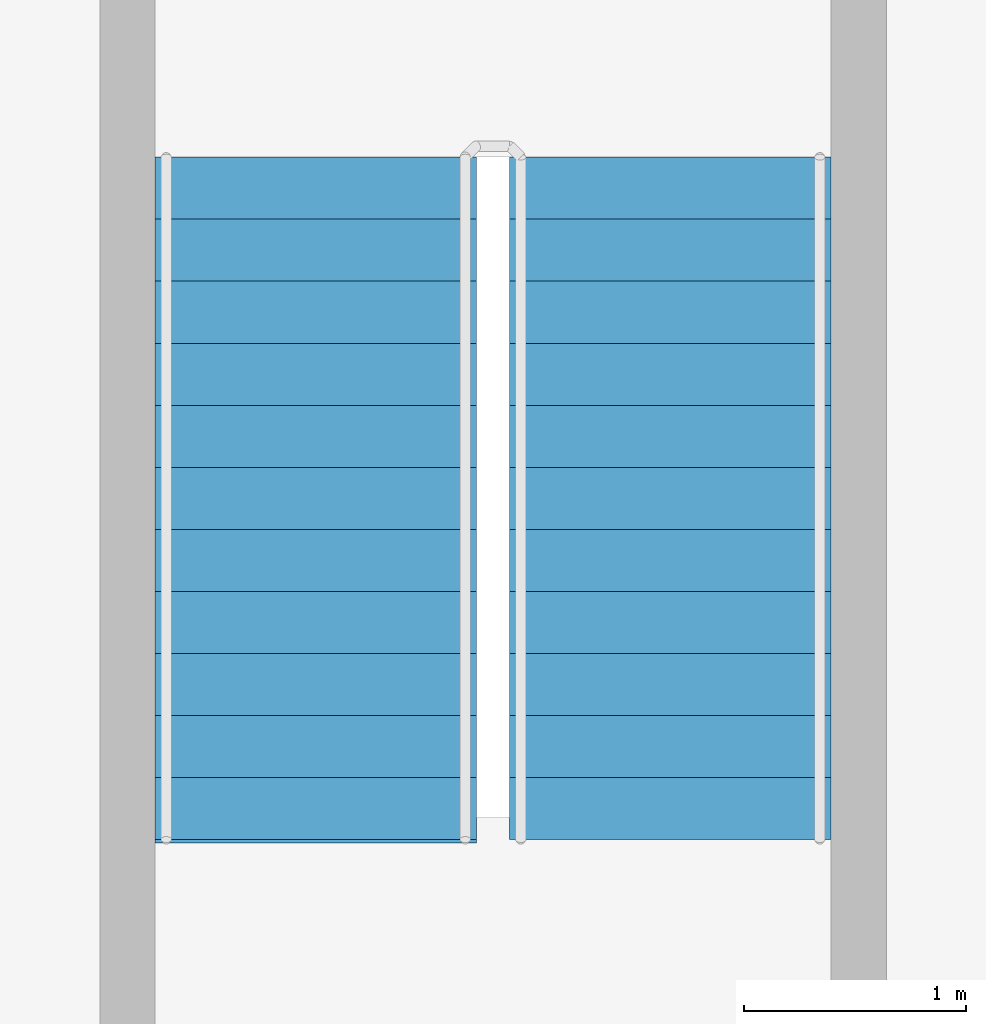
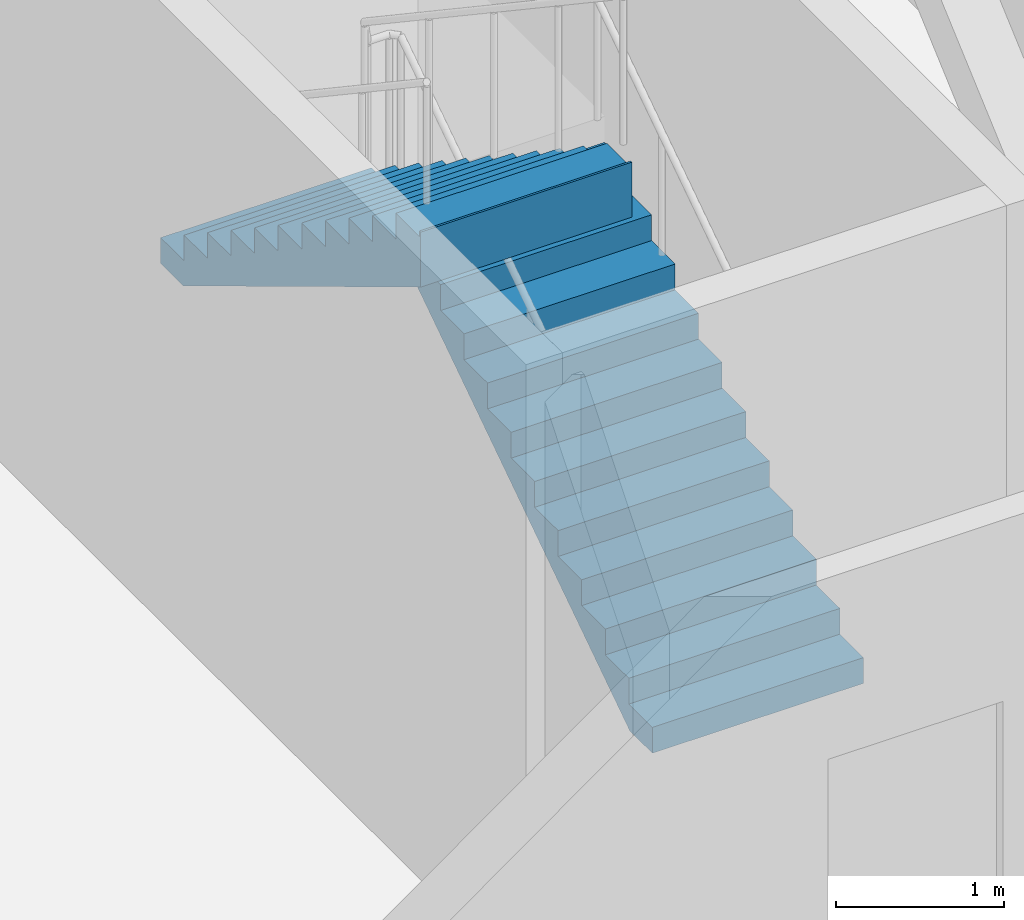
# One storey, part 17 of 20: 2 stair flights, 1 element without a shape of its own.
"""IFC4 building model written with IfcOpenShell, lengths in metres."""

from ifc_helpers import new_model, si_unit, direction, frame, origin, place, context, subcontext, project, spatial, polyline, outline, extrude, material, type_object, element, aggregate, save


model = new_model("IFC4")

# Units and contexts
model_context = context("Model", 3, precision=1e-05, world=origin(), true_north=direction((0.0, 1.0)))
body_context = subcontext(model_context, "Body", "Model", "MODEL_VIEW")
ifc_project = project(units=[si_unit("LENGTHUNIT", "METRE"), si_unit("AREAUNIT", "SQUARE_METRE"), si_unit("VOLUMEUNIT", "CUBIC_METRE"), si_unit("PLANEANGLEUNIT", "RADIAN"), si_unit("MASSUNIT", "GRAM", prefix="KILO")], contexts=[model_context])

# Site, building, storey
site_placement = place(None, origin())
site = spatial("IfcSite", under=ifc_project, at=site_placement, CompositionType="ELEMENT")
building_placement = place(site_placement, origin())
building = spatial("IfcBuilding", under=site, at=building_placement, Name="Bicima Exchange Tower", CompositionType="ELEMENT")
storey_placement = place(building_placement, frame((0.0, 0.0, 306.5)))
storey = spatial("IfcBuildingStorey", under=building, at=storey_placement, Name="L69", CompositionType="ELEMENT", Elevation=306.5)

# Stair, stair flights
ifc_material = material(Name="Concrete C50/60", Category="concrete")
stair_type = type_object("IfcStairType", Name="Exit stair", PredefinedType="HALF_TURN_STAIR", material=ifc_material)
stair_placement = place(storey_placement, origin())
stair = element("IfcStair", 1, at=stair_placement, inside=storey, type_object=stair_type, Name="L69 East end exit stair", PredefinedType="HALF_TURN_STAIR")
stair_flight_type = type_object("IfcStairFlightType", Name="Stair flight RC", PredefinedType="STRAIGHT", material=ifc_material)
stair_flight_1_placement = place(storey_placement, frame((31.25, -9.925048828125, 0.0), z_axis=(0.0, 0.0, 1.0), x_axis=(0.0, 1.0, 0.0)))
stair_flight_1 = element("IfcStairFlight", 2, at=stair_flight_1_placement, type_object=stair_flight_type, Name="ST-EE flight 1", NumberOfRisers=12, NumberOfTreads=11, PredefinedType="STRAIGHT", RiserHeight=0.1875, TreadLength=0.28, context=body_context, shape_type="SweptSolid", body=[
    extrude(outline(polyline([(0.0, 0.0), (0.0, 0.1875), (0.280029296875, 0.1875), (0.280029296875, 0.375), (0.56005859375, 0.375), (0.56005859375, 0.5625), (0.840087890625, 0.5625), (0.840087890625, 0.75), (1.1201171875, 0.75), (1.1201171875, 0.9375), (1.39990234375, 0.9375), (1.39990234375, 1.125), (1.679931640625, 1.125), (1.679931640625, 1.3125), (1.9599609375, 1.3125), (1.9599609375, 1.5), (2.239990234375, 1.5), (2.239990234375, 1.6875), (2.52001953125, 1.6875), (2.52001953125, 1.875), (2.800048828125, 1.875), (2.800048828125, 2.0625), (3.080078125, 2.0625), (3.080078125, 2.25), (3.080078125, 1.882080078125), (0.26953125, 0.0), (0.0, 0.0)])), frame((0.0, 0.72509765625, 0.0), z_axis=(0.0, -1.0, 0.0), x_axis=(1.0, 0.0, 0.0)), (0.0, 0.0, 1.0), 1.449951171875),
])
stair_flight_2_placement = place(storey_placement, frame((29.64990234375, -6.844970703125, 2.25), z_axis=(0.0, 0.0, 1.0), x_axis=(0.0, -1.0, 0.0)))
stair_flight_2 = element("IfcStairFlight", 3, at=stair_flight_2_placement, type_object=stair_flight_type, Name="ST-EE flight 2", NumberOfRisers=12, NumberOfTreads=11, PredefinedType="STRAIGHT", RiserHeight=0.1875, TreadLength=0.28, context=body_context, shape_type="SweptSolid", body=[
    extrude(outline(polyline([(0.0, 0.0), (0.0, 0.1875), (0.280029296875, 0.1875), (0.280029296875, 0.375), (0.56005859375, 0.375), (0.56005859375, 0.5625), (0.840087890625, 0.5625), (0.840087890625, 0.75), (1.1201171875, 0.75), (1.1201171875, 0.9375), (1.39990234375, 0.9375), (1.39990234375, 1.125), (1.679931640625, 1.125), (1.679931640625, 1.3125), (1.9599609375, 1.3125), (1.9599609375, 1.5), (2.239990234375, 1.5), (2.239990234375, 1.6875), (2.52001953125, 1.6875), (2.52001953125, 1.875), (2.800048828125, 1.875), (2.800048828125, 2.0625), (3.080078125, 2.0625), (3.080078125, 2.10400390625), (3.094970703125, 2.10400390625), (3.094970703125, 1.70458984375), (0.26953125, 0.0), (0.0, 0.0)])), frame((0.0, 0.72509765625, 0.0), z_axis=(0.0, -1.0, 0.0), x_axis=(1.0, 0.0, 0.0)), (0.0, 0.0, 1.0), 1.449951171875),
])
aggregate(stair, [stair_flight_1, stair_flight_2])

save(model, "model.ifc")
